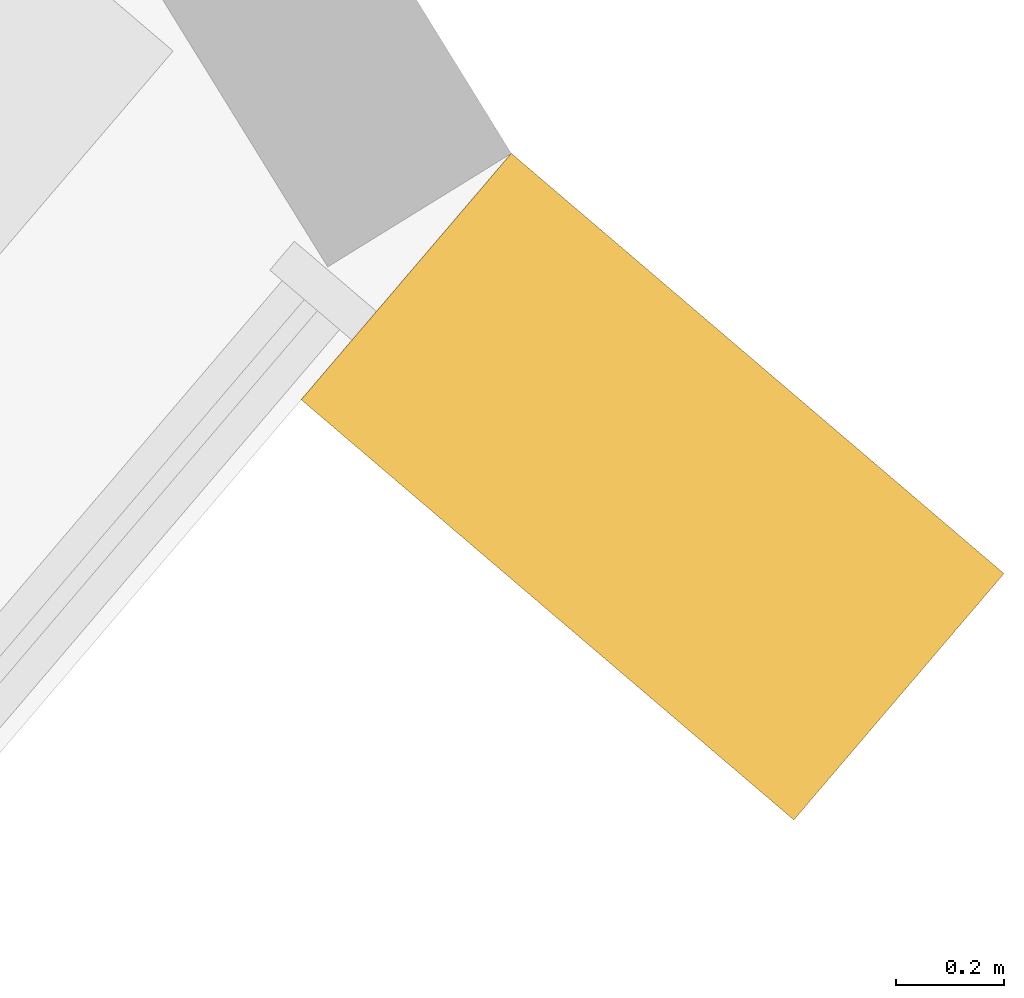
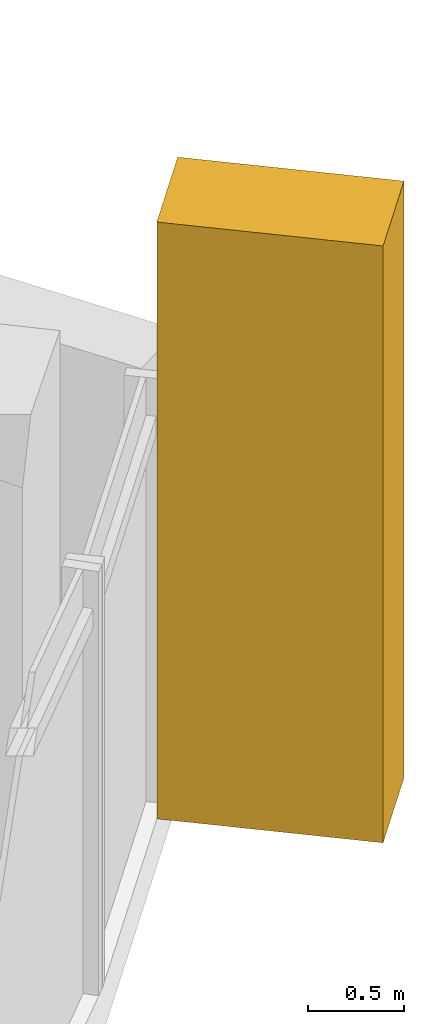
# One storey, part 28 of 28: 1 shading device.
"""IFC4 building model written with IfcOpenShell, lengths in metres."""

from ifc_helpers import new_model, si_unit, direction, frame, origin, place, context, subcontext, project, spatial, polyline, outline, extrude, material, type_object, element, save


model = new_model("IFC4")

# Units and contexts
model_context = context("Model", 3, precision=1e-05, world=origin(), true_north=direction((0.0, 1.0)))
body_context = subcontext(model_context, "Body", "Model", "MODEL_VIEW")
ifc_project = project(units=[si_unit("LENGTHUNIT", "METRE"), si_unit("AREAUNIT", "SQUARE_METRE"), si_unit("VOLUMEUNIT", "CUBIC_METRE"), si_unit("PLANEANGLEUNIT", "RADIAN"), si_unit("MASSUNIT", "GRAM", prefix="KILO")], contexts=[model_context])

# Site, building, storey
site_placement = place(None, origin())
site = spatial("IfcSite", under=ifc_project, at=site_placement, CompositionType="ELEMENT")
building_placement = place(site_placement, origin())
building = spatial("IfcBuilding", under=site, at=building_placement, Name="Qamariyya Broadcast Tower", CompositionType="ELEMENT")
storey_placement = place(building_placement, frame((0.0, 0.0, 215.10009765625)))
storey = spatial("IfcBuildingStorey", under=building, at=storey_placement, Name="L51", CompositionType="ELEMENT", Elevation=215.10009765625)

# Shading device
ifc_material = material(Name="Steel S355 powder coated deep red", Category="steel")
shading_device_type = type_object("IfcShadingDeviceType", Name="Deep red frame, powder coated steel box section", PredefinedType="USERDEFINED", material=ifc_material)
shading_device_placement = place(storey_placement, origin())
element("IfcShadingDevice", 1, at=shading_device_placement, inside=storey, type_object=shading_device_type, Name="e-frm-B4-F4-postb-L51", ObjectType="FRAME", PredefinedType="USERDEFINED", context=body_context, shape_type="SweptSolid", body=[
    extrude(outline(polyline([(60.1494140625, -50.664794921875), (61.0625, -51.443603515625), (61.451904296875, -50.987060546875), (60.538818359375, -50.208251953125), (60.1494140625, -50.664794921875)])), origin(), (0.0, 0.0, 1.0), 3.7998046875),
])

save(model, "model.ifc")
